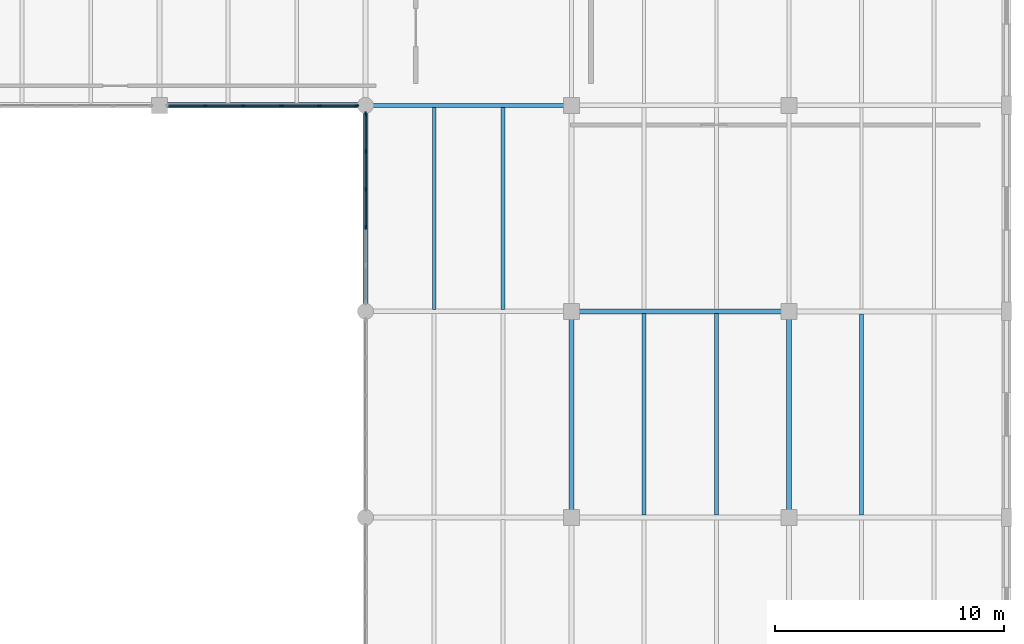
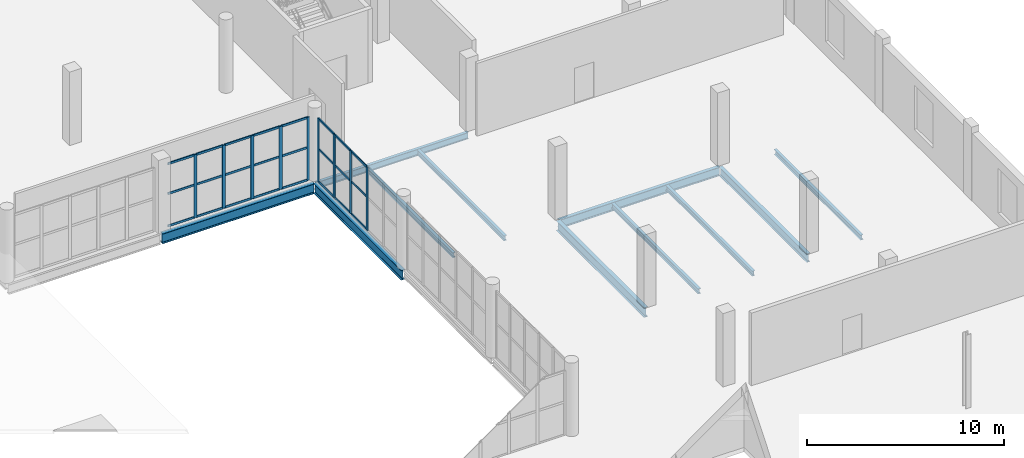
# One storey, part 53 of 93: 33 members, 11 beams, 2 elements without a shape of their own.
"""IFC4 building model written with IfcOpenShell, lengths in metres."""

from ifc_helpers import new_model, si_unit, direction, frame, origin, origin_2d, place, context, subcontext, project, spatial, rectangle, i_section, extrude, material, layer, layer_set, material_profile, profile_set, type_object, element, aggregate, save


model = new_model("IFC4")

# Units and contexts
model_context = context("Model", 3, precision=1e-05, world=origin(), true_north=direction((0.0, 1.0)))
body_context = subcontext(model_context, "Body", "Model", "MODEL_VIEW")
ifc_project = project(units=[si_unit("LENGTHUNIT", "METRE"), si_unit("AREAUNIT", "SQUARE_METRE"), si_unit("VOLUMEUNIT", "CUBIC_METRE"), si_unit("PLANEANGLEUNIT", "RADIAN"), si_unit("MASSUNIT", "GRAM", prefix="KILO")], contexts=[model_context])

# Site, building, storey
site_placement = place(None, origin())
site = spatial("IfcSite", under=ifc_project, at=site_placement, CompositionType="ELEMENT")
building_placement = place(site_placement, origin())
building = spatial("IfcBuilding", under=site, at=building_placement, Name="Marnock Terrace Opera House", CompositionType="ELEMENT")
storey_placement = place(building_placement, frame((0.0, 0.0, 5.39990234375)))
storey = spatial("IfcBuildingStorey", under=building, at=storey_placement, Name="L01", CompositionType="ELEMENT", Elevation=5.39990234375)

# Beams
ifc_material_1 = material(Name="Steel Grade 350 (AS/NZS 3679.1)", Category="steel")
ifc_material_profile_1 = material_profile(ifc_material_1, i_section(OverallWidth=0.177978515625, OverallDepth=0.402587890625, WebThickness=0.007568359375, FlangeThickness=0.010986328125, FilletRadius=0.011474609375, at=origin_2d()))
ifc_profile_set_1 = profile_set([ifc_material_profile_1], Name="Steel Grade 350 (AS/NZS 3679.1)")
beam_type_1 = type_object("IfcBeamType", Name="BM-GIRD-410", PredefinedType="BEAM", material=ifc_profile_set_1)
beam_1_placement = place(storey_placement, frame((136.050048828125, 66.0, -0.481201171875), z_axis=(1.0, 0.0, 0.0), x_axis=(0.0, 1.0, 0.0)))
element("IfcBeam", 1, at=beam_1_placement, inside=storey, type_object=beam_type_1, Name="L01 girder (136.0..145.0, Y=66.0)", PredefinedType="BEAM", context=body_context, shape_type="SweptSolid", body=[
    extrude(i_section(OverallWidth=0.177978515625, OverallDepth=0.402587890625, WebThickness=0.007568359375, FlangeThickness=0.010986328125, FilletRadius=0.011474609375, at=origin_2d()), origin(), (0.0, 0.0, 1.0), 8.89990234375),
])
ifc_material_profile_2 = material_profile(ifc_material_1, i_section(OverallWidth=0.208984375, OverallDepth=0.532958984375, WebThickness=0.01025390625, FlangeThickness=0.015625, FilletRadius=0.013916015625, at=origin_2d()))
ifc_profile_set_2 = profile_set([ifc_material_profile_2], Name="Steel Grade 350 (AS/NZS 3679.1)")
beam_type_2 = type_object("IfcBeamType", Name="BM-GIRD-530A", PredefinedType="BEAM", material=ifc_profile_set_2)
beam_2_placement = place(storey_placement, frame((145.050048828125, 57.0, -0.54638671875), z_axis=(1.0, 0.0, 0.0), x_axis=(0.0, 1.0, 0.0)))
element("IfcBeam", 2, at=beam_2_placement, inside=storey, type_object=beam_type_2, Name="L01 girder (145.0..154.5, Y=57.0)", PredefinedType="BEAM", context=body_context, shape_type="SweptSolid", body=[
    extrude(i_section(OverallWidth=0.208984375, OverallDepth=0.532958984375, WebThickness=0.01025390625, FlangeThickness=0.015625, FilletRadius=0.013916015625, at=origin_2d()), origin(), (0.0, 0.0, 1.0), 9.39990234375),
])
ifc_material_profile_3 = material_profile(ifc_material_1, i_section(OverallWidth=0.208984375, OverallDepth=0.528076171875, WebThickness=0.009521484375, FlangeThickness=0.01318359375, FilletRadius=0.013916015625, at=origin_2d()))
ifc_profile_set_3 = profile_set([ifc_material_profile_3], Name="Steel Grade 350 (AS/NZS 3679.1)")
beam_type_3 = type_object("IfcBeamType", Name="BM-GIRD-530B", PredefinedType="BEAM", material=ifc_profile_set_3)
beam_3_placement = place(storey_placement, frame((154.5, 48.050048828125, -0.5439453125), z_axis=(0.0, 1.0, 0.0), x_axis=(-1.0, 0.0, 0.0)))
element("IfcBeam", 3, at=beam_3_placement, inside=storey, type_object=beam_type_3, Name="L01 girder (X=154.5, 48.0..57.0)", PredefinedType="BEAM", context=body_context, shape_type="SweptSolid", body=[
    extrude(i_section(OverallWidth=0.208984375, OverallDepth=0.528076171875, WebThickness=0.009521484375, FlangeThickness=0.01318359375, FilletRadius=0.013916015625, at=origin_2d()), origin(), (0.0, 0.0, 1.0), 8.89990234375),
])
ifc_material_profile_4 = material_profile(ifc_material_1, i_section(OverallWidth=0.22900390625, OverallDepth=0.611572265625, WebThickness=0.011962890625, FlangeThickness=0.01953125, FilletRadius=0.013916015625, at=origin_2d()))
ifc_profile_set_4 = profile_set([ifc_material_profile_4], Name="Steel Grade 350 (AS/NZS 3679.1)")
beam_type_4 = type_object("IfcBeamType", Name="BM-GIRD-610A", PredefinedType="BEAM", material=ifc_profile_set_4)
beam_4_placement = place(storey_placement, frame((127.050048828125, 66.0, -0.585693359375), z_axis=(1.0, 0.0, 0.0), x_axis=(0.0, 1.0, 0.0)))
element("IfcBeam", 4, at=beam_4_placement, inside=storey, type_object=beam_type_4, Name="L01 girder (127.0..136.0, Y=66.0)", PredefinedType="BEAM", context=body_context, shape_type="SweptSolid", body=[
    extrude(i_section(OverallWidth=0.22900390625, OverallDepth=0.611572265625, WebThickness=0.011962890625, FlangeThickness=0.01953125, FilletRadius=0.013916015625, at=origin_2d()), origin(), (0.0, 0.0, 1.0), 8.89990234375),
])
ifc_material_profile_5 = material_profile(ifc_material_1, i_section(OverallWidth=0.22802734375, OverallDepth=0.60205078125, WebThickness=0.010498046875, FlangeThickness=0.014892578125, FilletRadius=0.013916015625, at=origin_2d()))
ifc_profile_set_5 = profile_set([ifc_material_profile_5], Name="Steel Grade 350 (AS/NZS 3679.1)")
beam_type_5 = type_object("IfcBeamType", Name="BM-GIRD-610C", PredefinedType="BEAM", material=ifc_profile_set_5)
for number, where, z_axis, x_axis, name in (
    (5, (136.0, 57.050048828125, -0.580810546875), (0.0, 1.0, 0.0), (-1.0, 0.0, 0.0), "L01 girder (X=136.0, 57.0..66.0)"),
    (6, (145.0, 48.050048828125, -0.580810546875), (0.0, 1.0, 0.0), (-1.0, 0.0, 0.0), "L01 girder (X=145.0, 48.0..57.0)"),
):
    element("IfcBeam", number, at=place(storey_placement, frame(where, z_axis=z_axis, x_axis=x_axis)), inside=storey, type_object=beam_type_5, Name=name, PredefinedType="BEAM", context=body_context, shape_type="SweptSolid", body=[
        extrude(i_section(OverallWidth=0.22802734375, OverallDepth=0.60205078125, WebThickness=0.010498046875, FlangeThickness=0.014892578125, FilletRadius=0.013916015625, at=origin_2d()), origin(), (0.0, 0.0, 1.0), 8.89990234375),
    ])
ifc_material_profile_6 = material_profile(ifc_material_1, i_section(OverallWidth=0.166015625, OverallDepth=0.30712890625, WebThickness=0.006591796875, FlangeThickness=0.01171875, FilletRadius=0.011474609375, at=origin_2d()))
ifc_profile_set_6 = profile_set([ifc_material_profile_6], Name="Steel Grade 350 (AS/NZS 3679.1)")
beam_type_6 = type_object("IfcBeamType", Name="BM-JOIST-310A", PredefinedType="JOIST", material=ifc_profile_set_6)
for number, where, z_axis, x_axis, name in (
    (7, (139.0, 57.090576171875, -0.43359375), (0.0, 1.0, 0.0), (-1.0, 0.0, 0.0), "L01 secondary joist 15.7.1"),
    (8, (142.0, 57.090576171875, -0.43359375), (0.0, 1.0, 0.0), (-1.0, 0.0, 0.0), "L01 secondary joist 15.7.2"),
):
    element("IfcBeam", number, at=place(storey_placement, frame(where, z_axis=z_axis, x_axis=x_axis)), inside=storey, type_object=beam_type_6, Name=name, PredefinedType="JOIST", context=body_context, shape_type="SweptSolid", body=[
        extrude(i_section(OverallWidth=0.166015625, OverallDepth=0.30712890625, WebThickness=0.006591796875, FlangeThickness=0.01171875, FilletRadius=0.011474609375, at=origin_2d()), origin(), (0.0, 0.0, 1.0), 8.825439453125),
    ])
for number, where, z_axis, x_axis, name in (
    (9, (148.166748046875, 48.10888671875, -0.43359375), (0.0, 1.0, 0.0), (-1.0, 0.0, 0.0), "L01 secondary joist 16.6.1"),
    (10, (151.333251953125, 48.10888671875, -0.43359375), (0.0, 1.0, 0.0), (-1.0, 0.0, 0.0), "L01 secondary joist 16.6.2"),
):
    element("IfcBeam", number, at=place(storey_placement, frame(where, z_axis=z_axis, x_axis=x_axis)), inside=storey, type_object=beam_type_6, Name=name, PredefinedType="JOIST", context=body_context, shape_type="SweptSolid", body=[
        extrude(i_section(OverallWidth=0.166015625, OverallDepth=0.30712890625, WebThickness=0.006591796875, FlangeThickness=0.01171875, FilletRadius=0.011474609375, at=origin_2d()), origin(), (0.0, 0.0, 1.0), 8.79150390625),
    ])
ifc_material_profile_7 = material_profile(ifc_material_1, i_section(OverallWidth=0.1650390625, OverallDepth=0.3037109375, WebThickness=0.006103515625, FlangeThickness=0.01025390625, FilletRadius=0.011474609375, at=origin_2d()))
ifc_profile_set_7 = profile_set([ifc_material_profile_7], Name="Steel Grade 350 (AS/NZS 3679.1)")
beam_type_7 = type_object("IfcBeamType", Name="BM-JOIST-310B", PredefinedType="JOIST", material=ifc_profile_set_7)
beam_5_placement = place(storey_placement, frame((157.666748046875, 48.109619140625, -0.431884765625), z_axis=(0.0, 1.0, 0.0), x_axis=(-1.0, 0.0, 0.0)))
element("IfcBeam", 11, at=beam_5_placement, inside=storey, type_object=beam_type_7, Name="L01 secondary joist 17.6.1", PredefinedType="JOIST", context=body_context, shape_type="SweptSolid", body=[
    extrude(i_section(OverallWidth=0.1650390625, OverallDepth=0.3037109375, WebThickness=0.006103515625, FlangeThickness=0.01025390625, FilletRadius=0.011474609375, at=origin_2d()), origin(), (0.0, 0.0, 1.0), 8.781494140625),
])

# Curtain wall, members
ifc_material_2 = material(Name="Anodised architectural bronze aluminium framing", Category="aluminium")
ifc_layer = layer(ifc_material_2, 0.159912109375)
ifc_layer_set = layer_set([ifc_layer], Name="Anodised architectural bronze aluminium framing")
curtain_wall_type = type_object("IfcCurtainWallType", Name="CW-LOGGIA-86x45", PredefinedType="NOTDEFINED", material=ifc_layer_set)
curtain_wall_1_placement = place(storey_placement, origin())
curtain_wall_1 = element("IfcCurtainWall", 12, at=curtain_wall_1_placement, inside=storey, type_object=curtain_wall_type, Name="L01 glazed Beaux-Arts colonnade curtain wall CW-V5-L01-CE3", PredefinedType="NOTDEFINED")
ifc_material_profile_8 = material_profile(ifc_material_2, rectangle(XDim=0.06494140625, YDim=0.179931640625, at=origin_2d()))
ifc_profile_set_8 = profile_set([ifc_material_profile_8], Name="Anodised architectural bronze aluminium framing")
member_type_1 = type_object("IfcMemberType", Name="CWM-65x180", PredefinedType="MULLION", material=ifc_profile_set_8)
member_1_placement = place(storey_placement, frame((136.0, 60.669189453125, 0.0), z_axis=(0.0, 0.0, 1.0), x_axis=(-1.0, 0.0, 0.0)))
member_1 = element("IfcMember", 13, at=member_1_placement, type_object=member_type_1, Name="CW-61 mullion 3", PredefinedType="MULLION", context=body_context, shape_type="SweptSolid", body=[
    extrude(rectangle(XDim=0.06494140625, YDim=0.179931640625, at=origin_2d()), origin(), (0.0, 0.0, 1.0), 3.908203125),
])
member_2_placement = place(storey_placement, frame((136.0, 62.330810546875, 0.0), z_axis=(0.0, 0.0, 1.0), x_axis=(-1.0, 0.0, 0.0)))
member_2 = element("IfcMember", 14, at=member_2_placement, type_object=member_type_1, Name="CW-61 mullion 4", PredefinedType="MULLION", context=body_context, shape_type="SweptSolid", body=[
    extrude(rectangle(XDim=0.06494140625, YDim=0.179931640625, at=origin_2d()), origin(), (0.0, 0.0, 1.0), 3.908203125),
])
member_3_placement = place(storey_placement, frame((136.0, 63.992431640625, 0.0), z_axis=(0.0, 0.0, 1.0), x_axis=(-1.0, 0.0, 0.0)))
member_3 = element("IfcMember", 15, at=member_3_placement, type_object=member_type_1, Name="CW-61 mullion 5", PredefinedType="MULLION", context=body_context, shape_type="SweptSolid", body=[
    extrude(rectangle(XDim=0.06494140625, YDim=0.179931640625, at=origin_2d()), origin(), (0.0, 0.0, 1.0), 3.908203125),
])
member_4_placement = place(storey_placement, frame((136.0, 65.6240234375, 0.0), z_axis=(0.0, 0.0, 1.0), x_axis=(-1.0, 0.0, 0.0)))
member_4 = element("IfcMember", 16, at=member_4_placement, type_object=member_type_1, Name="CW-61 mullion 6", PredefinedType="MULLION", context=body_context, shape_type="SweptSolid", body=[
    extrude(rectangle(XDim=0.06494140625, YDim=0.179931640625, at=origin_2d()), origin(), (0.0, 0.0, 1.0), 3.908203125),
])

curtain_wall_2_placement = place(storey_placement, origin())
curtain_wall_2 = element("IfcCurtainWall", 17, at=curtain_wall_2_placement, inside=storey, type_object=curtain_wall_type, Name="L01 glazed Beaux-Arts colonnade curtain wall CW-V5-L01-CN2", PredefinedType="NOTDEFINED")
member_5_placement = place(storey_placement, frame((129.007568359375, 66.0, 0.0), z_axis=(0.0, 0.0, 1.0), x_axis=(0.0, 1.0, 0.0)))
member_5 = element("IfcMember", 18, at=member_5_placement, type_object=member_type_1, Name="CW-61 mullion 2", PredefinedType="MULLION", context=body_context, shape_type="SweptSolid", body=[
    extrude(rectangle(XDim=0.06494140625, YDim=0.179931640625, at=origin_2d()), origin(), (0.0, 0.0, 1.0), 3.8984375),
])
member_6_placement = place(storey_placement, frame((130.669189453125, 66.0, 0.0), z_axis=(0.0, 0.0, 1.0), x_axis=(0.0, 1.0, 0.0)))
member_6 = element("IfcMember", 19, at=member_6_placement, type_object=member_type_1, Name="CW-61 mullion 3", PredefinedType="MULLION", context=body_context, shape_type="SweptSolid", body=[
    extrude(rectangle(XDim=0.06494140625, YDim=0.179931640625, at=origin_2d()), origin(), (0.0, 0.0, 1.0), 3.8984375),
])
member_7_placement = place(storey_placement, frame((132.330810546875, 66.0, 0.0), z_axis=(0.0, 0.0, 1.0), x_axis=(0.0, 1.0, 0.0)))
member_7 = element("IfcMember", 20, at=member_7_placement, type_object=member_type_1, Name="CW-61 mullion 4", PredefinedType="MULLION", context=body_context, shape_type="SweptSolid", body=[
    extrude(rectangle(XDim=0.06494140625, YDim=0.179931640625, at=origin_2d()), origin(), (0.0, 0.0, 1.0), 3.8984375),
])
member_8_placement = place(storey_placement, frame((133.992431640625, 66.0, 0.0), z_axis=(0.0, 0.0, 1.0), x_axis=(0.0, 1.0, 0.0)))
member_8 = element("IfcMember", 21, at=member_8_placement, type_object=member_type_1, Name="CW-61 mullion 5", PredefinedType="MULLION", context=body_context, shape_type="SweptSolid", body=[
    extrude(rectangle(XDim=0.06494140625, YDim=0.179931640625, at=origin_2d()), origin(), (0.0, 0.0, 1.0), 3.8984375),
])
member_9_placement = place(storey_placement, frame((135.6240234375, 66.0, 0.0), z_axis=(0.0, 0.0, 1.0), x_axis=(0.0, 1.0, 0.0)))
member_9 = element("IfcMember", 22, at=member_9_placement, type_object=member_type_1, Name="CW-61 mullion 6", PredefinedType="MULLION", context=body_context, shape_type="SweptSolid", body=[
    extrude(rectangle(XDim=0.06494140625, YDim=0.179931640625, at=origin_2d()), origin(), (0.0, 0.0, 1.0), 3.8984375),
])

# Member
ifc_material_profile_9 = material_profile(ifc_material_2, rectangle(XDim=0.06005859375, YDim=0.1298828125, at=origin_2d()))
ifc_profile_set_9 = profile_set([ifc_material_profile_9], Name="Anodised architectural bronze aluminium framing")
member_type_2 = type_object("IfcMemberType", Name="CWT-60x130", PredefinedType="USERDEFINED", material=ifc_profile_set_9)
member_10_placement = place(storey_placement, frame((136.0, 60.69921875, 0.030029296875), z_axis=(0.0, 1.0, 0.0), x_axis=(-1.0, 0.0, 0.0)))
member_10 = element("IfcMember", 23, at=member_10_placement, type_object=member_type_2, Name="CW-61 transom 3.1", ObjectType="TRANSOM", PredefinedType="USERDEFINED", context=body_context, shape_type="SweptSolid", body=[
    extrude(rectangle(XDim=0.06005859375, YDim=0.1298828125, at=origin_2d()), origin(), (0.0, 0.0, 1.0), 1.6015625),
])

member_11_placement = place(storey_placement, frame((136.0, 60.69921875, 2.0322265625), z_axis=(0.0, 1.0, 0.0), x_axis=(-1.0, 0.0, 0.0)))
member_11 = element("IfcMember", 24, at=member_11_placement, type_object=member_type_2, Name="CW-61 transom 3.2", ObjectType="TRANSOM", PredefinedType="USERDEFINED", context=body_context, shape_type="SweptSolid", body=[
    extrude(rectangle(XDim=0.06005859375, YDim=0.1298828125, at=origin_2d()), origin(), (0.0, 0.0, 1.0), 1.6015625),
])

member_12_placement = place(storey_placement, frame((136.0, 60.69921875, 3.878173828125), z_axis=(0.0, 1.0, 0.0), x_axis=(-1.0, 0.0, 0.0)))
member_12 = element("IfcMember", 25, at=member_12_placement, type_object=member_type_2, Name="CW-61 transom 3.3", ObjectType="TRANSOM", PredefinedType="USERDEFINED", context=body_context, shape_type="SweptSolid", body=[
    extrude(rectangle(XDim=0.06005859375, YDim=0.1298828125, at=origin_2d()), origin(), (0.0, 0.0, 1.0), 1.6015625),
])

member_13_placement = place(storey_placement, frame((136.0, 62.36083984375, 0.030029296875), z_axis=(0.0, 1.0, 0.0), x_axis=(-1.0, 0.0, 0.0)))
member_13 = element("IfcMember", 26, at=member_13_placement, type_object=member_type_2, Name="CW-61 transom 4.1", ObjectType="TRANSOM", PredefinedType="USERDEFINED", context=body_context, shape_type="SweptSolid", body=[
    extrude(rectangle(XDim=0.06005859375, YDim=0.1298828125, at=origin_2d()), origin(), (0.0, 0.0, 1.0), 1.6015625),
])

member_14_placement = place(storey_placement, frame((136.0, 62.36083984375, 2.0322265625), z_axis=(0.0, 1.0, 0.0), x_axis=(-1.0, 0.0, 0.0)))
member_14 = element("IfcMember", 27, at=member_14_placement, type_object=member_type_2, Name="CW-61 transom 4.2", ObjectType="TRANSOM", PredefinedType="USERDEFINED", context=body_context, shape_type="SweptSolid", body=[
    extrude(rectangle(XDim=0.06005859375, YDim=0.1298828125, at=origin_2d()), origin(), (0.0, 0.0, 1.0), 1.6015625),
])

member_15_placement = place(storey_placement, frame((136.0, 62.36083984375, 3.878173828125), z_axis=(0.0, 1.0, 0.0), x_axis=(-1.0, 0.0, 0.0)))
member_15 = element("IfcMember", 28, at=member_15_placement, type_object=member_type_2, Name="CW-61 transom 4.3", ObjectType="TRANSOM", PredefinedType="USERDEFINED", context=body_context, shape_type="SweptSolid", body=[
    extrude(rectangle(XDim=0.06005859375, YDim=0.1298828125, at=origin_2d()), origin(), (0.0, 0.0, 1.0), 1.6015625),
])

member_16_placement = place(storey_placement, frame((136.0, 64.0224609375, 0.030029296875), z_axis=(0.0, 1.0, 0.0), x_axis=(-1.0, 0.0, 0.0)))
member_16 = element("IfcMember", 29, at=member_16_placement, type_object=member_type_2, Name="CW-61 transom 5.1", ObjectType="TRANSOM", PredefinedType="USERDEFINED", context=body_context, shape_type="SweptSolid", body=[
    extrude(rectangle(XDim=0.06005859375, YDim=0.1298828125, at=origin_2d()), origin(), (0.0, 0.0, 1.0), 1.571533203125),
])

member_17_placement = place(storey_placement, frame((136.0, 64.0224609375, 2.0322265625), z_axis=(0.0, 1.0, 0.0), x_axis=(-1.0, 0.0, 0.0)))
member_17 = element("IfcMember", 30, at=member_17_placement, type_object=member_type_2, Name="CW-61 transom 5.2", ObjectType="TRANSOM", PredefinedType="USERDEFINED", context=body_context, shape_type="SweptSolid", body=[
    extrude(rectangle(XDim=0.06005859375, YDim=0.1298828125, at=origin_2d()), origin(), (0.0, 0.0, 1.0), 1.571533203125),
])

member_18_placement = place(storey_placement, frame((136.0, 64.0224609375, 3.878173828125), z_axis=(0.0, 1.0, 0.0), x_axis=(-1.0, 0.0, 0.0)))
member_18 = element("IfcMember", 31, at=member_18_placement, type_object=member_type_2, Name="CW-61 transom 5.3", ObjectType="TRANSOM", PredefinedType="USERDEFINED", context=body_context, shape_type="SweptSolid", body=[
    extrude(rectangle(XDim=0.06005859375, YDim=0.1298828125, at=origin_2d()), origin(), (0.0, 0.0, 1.0), 1.571533203125),
])

aggregate(curtain_wall_1, [member_1, member_2, member_3, member_4, member_10, member_11, member_12, member_13, member_14, member_15, member_16, member_17, member_18])

member_19_placement = place(storey_placement, frame((127.406005859375, 66.0, 0.030029296875), z_axis=(1.0, 0.0, 0.0), x_axis=(0.0, 1.0, 0.0)))
member_19 = element("IfcMember", 32, at=member_19_placement, type_object=member_type_2, Name="CW-61 transom 1.1", ObjectType="TRANSOM", PredefinedType="USERDEFINED", context=body_context, shape_type="SweptSolid", body=[
    extrude(rectangle(XDim=0.06005859375, YDim=0.1298828125, at=origin_2d()), origin(), (0.0, 0.0, 1.0), 1.571533203125),
])

member_20_placement = place(storey_placement, frame((127.406005859375, 66.0, 2.02734375), z_axis=(1.0, 0.0, 0.0), x_axis=(0.0, 1.0, 0.0)))
member_20 = element("IfcMember", 33, at=member_20_placement, type_object=member_type_2, Name="CW-61 transom 1.2", ObjectType="TRANSOM", PredefinedType="USERDEFINED", context=body_context, shape_type="SweptSolid", body=[
    extrude(rectangle(XDim=0.06005859375, YDim=0.1298828125, at=origin_2d()), origin(), (0.0, 0.0, 1.0), 1.571533203125),
])

member_21_placement = place(storey_placement, frame((127.406005859375, 66.0, 3.868408203125), z_axis=(1.0, 0.0, 0.0), x_axis=(0.0, 1.0, 0.0)))
member_21 = element("IfcMember", 34, at=member_21_placement, type_object=member_type_2, Name="CW-61 transom 1.3", ObjectType="TRANSOM", PredefinedType="USERDEFINED", context=body_context, shape_type="SweptSolid", body=[
    extrude(rectangle(XDim=0.06005859375, YDim=0.1298828125, at=origin_2d()), origin(), (0.0, 0.0, 1.0), 1.571533203125),
])

member_22_placement = place(storey_placement, frame((129.03759765625, 66.0, 0.030029296875), z_axis=(1.0, 0.0, 0.0), x_axis=(0.0, 1.0, 0.0)))
member_22 = element("IfcMember", 35, at=member_22_placement, type_object=member_type_2, Name="CW-61 transom 2.1", ObjectType="TRANSOM", PredefinedType="USERDEFINED", context=body_context, shape_type="SweptSolid", body=[
    extrude(rectangle(XDim=0.06005859375, YDim=0.1298828125, at=origin_2d()), origin(), (0.0, 0.0, 1.0), 1.6015625),
])

member_23_placement = place(storey_placement, frame((129.03759765625, 66.0, 2.02734375), z_axis=(1.0, 0.0, 0.0), x_axis=(0.0, 1.0, 0.0)))
member_23 = element("IfcMember", 36, at=member_23_placement, type_object=member_type_2, Name="CW-61 transom 2.2", ObjectType="TRANSOM", PredefinedType="USERDEFINED", context=body_context, shape_type="SweptSolid", body=[
    extrude(rectangle(XDim=0.06005859375, YDim=0.1298828125, at=origin_2d()), origin(), (0.0, 0.0, 1.0), 1.6015625),
])

member_24_placement = place(storey_placement, frame((129.03759765625, 66.0, 3.868408203125), z_axis=(1.0, 0.0, 0.0), x_axis=(0.0, 1.0, 0.0)))
member_24 = element("IfcMember", 37, at=member_24_placement, type_object=member_type_2, Name="CW-61 transom 2.3", ObjectType="TRANSOM", PredefinedType="USERDEFINED", context=body_context, shape_type="SweptSolid", body=[
    extrude(rectangle(XDim=0.06005859375, YDim=0.1298828125, at=origin_2d()), origin(), (0.0, 0.0, 1.0), 1.6015625),
])

member_25_placement = place(storey_placement, frame((130.69921875, 66.0, 0.030029296875), z_axis=(1.0, 0.0, 0.0), x_axis=(0.0, 1.0, 0.0)))
member_25 = element("IfcMember", 38, at=member_25_placement, type_object=member_type_2, Name="CW-61 transom 3.1", ObjectType="TRANSOM", PredefinedType="USERDEFINED", context=body_context, shape_type="SweptSolid", body=[
    extrude(rectangle(XDim=0.06005859375, YDim=0.1298828125, at=origin_2d()), origin(), (0.0, 0.0, 1.0), 1.6015625),
])

member_26_placement = place(storey_placement, frame((130.69921875, 66.0, 2.02734375), z_axis=(1.0, 0.0, 0.0), x_axis=(0.0, 1.0, 0.0)))
member_26 = element("IfcMember", 39, at=member_26_placement, type_object=member_type_2, Name="CW-61 transom 3.2", ObjectType="TRANSOM", PredefinedType="USERDEFINED", context=body_context, shape_type="SweptSolid", body=[
    extrude(rectangle(XDim=0.06005859375, YDim=0.1298828125, at=origin_2d()), origin(), (0.0, 0.0, 1.0), 1.6015625),
])

member_27_placement = place(storey_placement, frame((130.69921875, 66.0, 3.868408203125), z_axis=(1.0, 0.0, 0.0), x_axis=(0.0, 1.0, 0.0)))
member_27 = element("IfcMember", 40, at=member_27_placement, type_object=member_type_2, Name="CW-61 transom 3.3", ObjectType="TRANSOM", PredefinedType="USERDEFINED", context=body_context, shape_type="SweptSolid", body=[
    extrude(rectangle(XDim=0.06005859375, YDim=0.1298828125, at=origin_2d()), origin(), (0.0, 0.0, 1.0), 1.6015625),
])

member_28_placement = place(storey_placement, frame((132.36083984375, 66.0, 0.030029296875), z_axis=(1.0, 0.0, 0.0), x_axis=(0.0, 1.0, 0.0)))
member_28 = element("IfcMember", 41, at=member_28_placement, type_object=member_type_2, Name="CW-61 transom 4.1", ObjectType="TRANSOM", PredefinedType="USERDEFINED", context=body_context, shape_type="SweptSolid", body=[
    extrude(rectangle(XDim=0.06005859375, YDim=0.1298828125, at=origin_2d()), origin(), (0.0, 0.0, 1.0), 1.6015625),
])

member_29_placement = place(storey_placement, frame((132.36083984375, 66.0, 2.02734375), z_axis=(1.0, 0.0, 0.0), x_axis=(0.0, 1.0, 0.0)))
member_29 = element("IfcMember", 42, at=member_29_placement, type_object=member_type_2, Name="CW-61 transom 4.2", ObjectType="TRANSOM", PredefinedType="USERDEFINED", context=body_context, shape_type="SweptSolid", body=[
    extrude(rectangle(XDim=0.06005859375, YDim=0.1298828125, at=origin_2d()), origin(), (0.0, 0.0, 1.0), 1.6015625),
])

member_30_placement = place(storey_placement, frame((132.36083984375, 66.0, 3.868408203125), z_axis=(1.0, 0.0, 0.0), x_axis=(0.0, 1.0, 0.0)))
member_30 = element("IfcMember", 43, at=member_30_placement, type_object=member_type_2, Name="CW-61 transom 4.3", ObjectType="TRANSOM", PredefinedType="USERDEFINED", context=body_context, shape_type="SweptSolid", body=[
    extrude(rectangle(XDim=0.06005859375, YDim=0.1298828125, at=origin_2d()), origin(), (0.0, 0.0, 1.0), 1.6015625),
])

member_31_placement = place(storey_placement, frame((134.0224609375, 66.0, 0.030029296875), z_axis=(1.0, 0.0, 0.0), x_axis=(0.0, 1.0, 0.0)))
member_31 = element("IfcMember", 44, at=member_31_placement, type_object=member_type_2, Name="CW-61 transom 5.1", ObjectType="TRANSOM", PredefinedType="USERDEFINED", context=body_context, shape_type="SweptSolid", body=[
    extrude(rectangle(XDim=0.06005859375, YDim=0.1298828125, at=origin_2d()), origin(), (0.0, 0.0, 1.0), 1.571533203125),
])

member_32_placement = place(storey_placement, frame((134.0224609375, 66.0, 2.02734375), z_axis=(1.0, 0.0, 0.0), x_axis=(0.0, 1.0, 0.0)))
member_32 = element("IfcMember", 45, at=member_32_placement, type_object=member_type_2, Name="CW-61 transom 5.2", ObjectType="TRANSOM", PredefinedType="USERDEFINED", context=body_context, shape_type="SweptSolid", body=[
    extrude(rectangle(XDim=0.06005859375, YDim=0.1298828125, at=origin_2d()), origin(), (0.0, 0.0, 1.0), 1.571533203125),
])

member_33_placement = place(storey_placement, frame((134.0224609375, 66.0, 3.868408203125), z_axis=(1.0, 0.0, 0.0), x_axis=(0.0, 1.0, 0.0)))
member_33 = element("IfcMember", 46, at=member_33_placement, type_object=member_type_2, Name="CW-61 transom 5.3", ObjectType="TRANSOM", PredefinedType="USERDEFINED", context=body_context, shape_type="SweptSolid", body=[
    extrude(rectangle(XDim=0.06005859375, YDim=0.1298828125, at=origin_2d()), origin(), (0.0, 0.0, 1.0), 1.571533203125),
])

aggregate(curtain_wall_2, [member_5, member_6, member_7, member_8, member_9, member_19, member_20, member_21, member_22, member_23, member_24, member_25, member_26, member_27, member_28, member_29, member_30, member_31, member_32, member_33])

save(model, "model.ifc")
